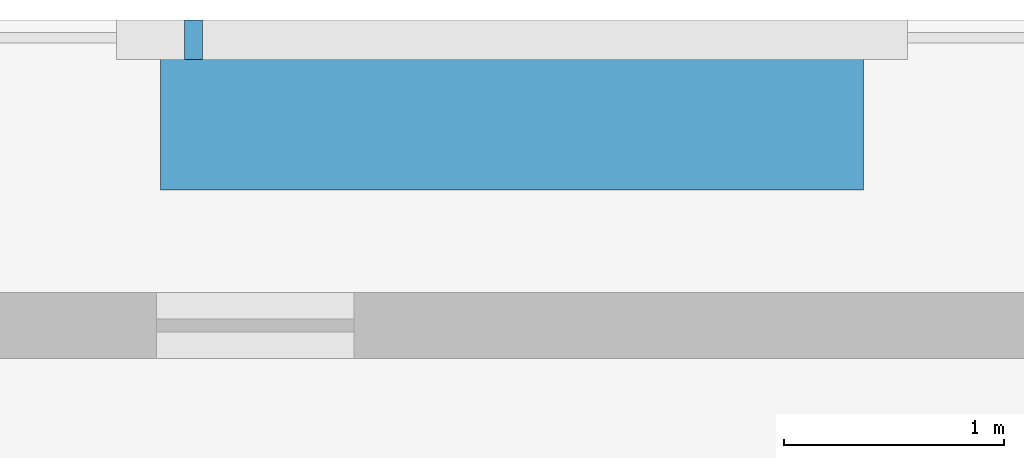
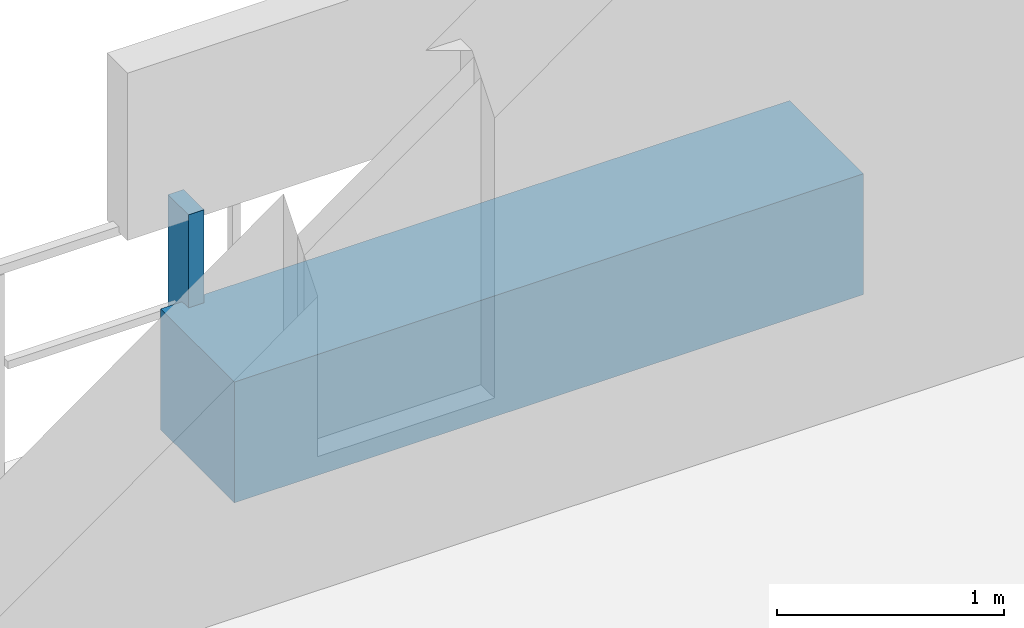
# One storey, part 28 of 33: 2 discrete accessories.
"""IFC4 building model written with IfcOpenShell, lengths in metres."""

from ifc_helpers import new_model, si_unit, direction, frame, origin, origin_2d, place, context, subcontext, project, spatial, rectangle, extrude, material, type_object, element, save


model = new_model("IFC4")

# Units and contexts
model_context = context("Model", 3, precision=1e-05, world=origin(), true_north=direction((0.0, 1.0)))
body_context = subcontext(model_context, "Body", "Model", "MODEL_VIEW")
ifc_project = project(units=[si_unit("LENGTHUNIT", "METRE"), si_unit("AREAUNIT", "SQUARE_METRE"), si_unit("VOLUMEUNIT", "CUBIC_METRE"), si_unit("PLANEANGLEUNIT", "RADIAN"), si_unit("MASSUNIT", "GRAM", prefix="KILO")], contexts=[model_context])

# Site, building, storey
site_placement = place(None, origin())
site = spatial("IfcSite", under=ifc_project, at=site_placement, CompositionType="ELEMENT")
building_placement = place(site_placement, origin())
building = spatial("IfcBuilding", under=site, at=building_placement, Name="Thornwick Lancets Civic Towers", CompositionType="ELEMENT")
storey_placement = place(building_placement, frame((0.0, 0.0, 185.699951171875)))
storey = spatial("IfcBuildingStorey", under=building, at=storey_placement, Name="L49", CompositionType="ELEMENT", Elevation=185.699951171875)

# Discrete accessories
ifc_material_1 = material(Name="Planted terracotta greenery planter", Category="masonry")
discrete_accessory_type_1 = type_object("IfcDiscreteAccessoryType", Name="ACC_PLANTER_BOX", PredefinedType="USERDEFINED", material=ifc_material_1)
discrete_accessory_1_placement = place(storey_placement, frame((25.5, 51.699951171875, 0.0), z_axis=(0.0, 0.0, 1.0), x_axis=(1.0, 0.0, 0.0)))
element("IfcDiscreteAccessory", 1, at=discrete_accessory_1_placement, inside=storey, type_object=discrete_accessory_type_1, Name="L49 Tower A Balcony Greenery Planter N", ObjectType="PLANTER", PredefinedType="USERDEFINED", context=body_context, shape_type="SweptSolid", body=[
    extrude(rectangle(XDim=3.199951171875, YDim=0.64990234375, at=origin_2d()), origin(), (0.0, 0.0, 1.0), 0.64990234375),
])
ifc_material_2 = material(Name="Stainless steel S355", Category="steel")
discrete_accessory_type_2 = type_object("IfcDiscreteAccessoryType", Name="ACC_SCREEN_BRACKET", PredefinedType="BRACKET", material=ifc_material_2)
discrete_accessory_2_placement = place(storey_placement, frame((24.050048828125, 52.06005859375, 0.0), z_axis=(0.0, 0.0, 1.0), x_axis=(1.0, 0.0, 0.0)))
element("IfcDiscreteAccessory", 2, at=discrete_accessory_2_placement, inside=storey, type_object=discrete_accessory_type_2, Name="L49 Tower A Balcony Screen Stanchion Bracket N-1", PredefinedType="BRACKET", context=body_context, shape_type="SweptSolid", body=[
    extrude(rectangle(XDim=0.080078125, YDim=0.179931640625, at=origin_2d()), origin(), (0.0, 0.0, 1.0), 1.14990234375),
])

save(model, "model.ifc")
